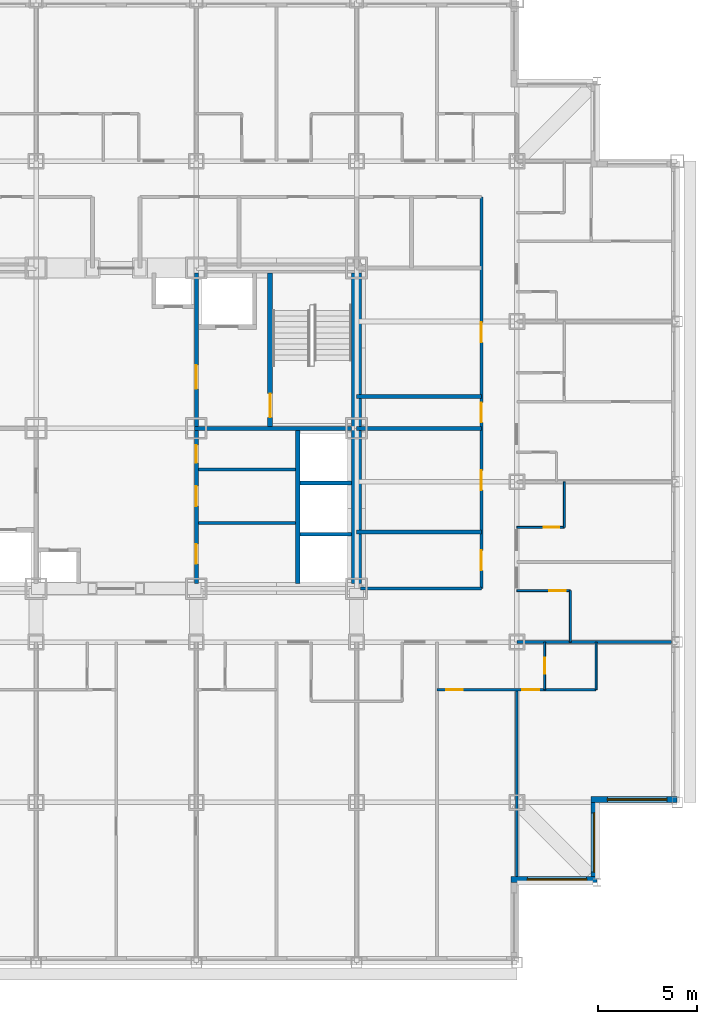
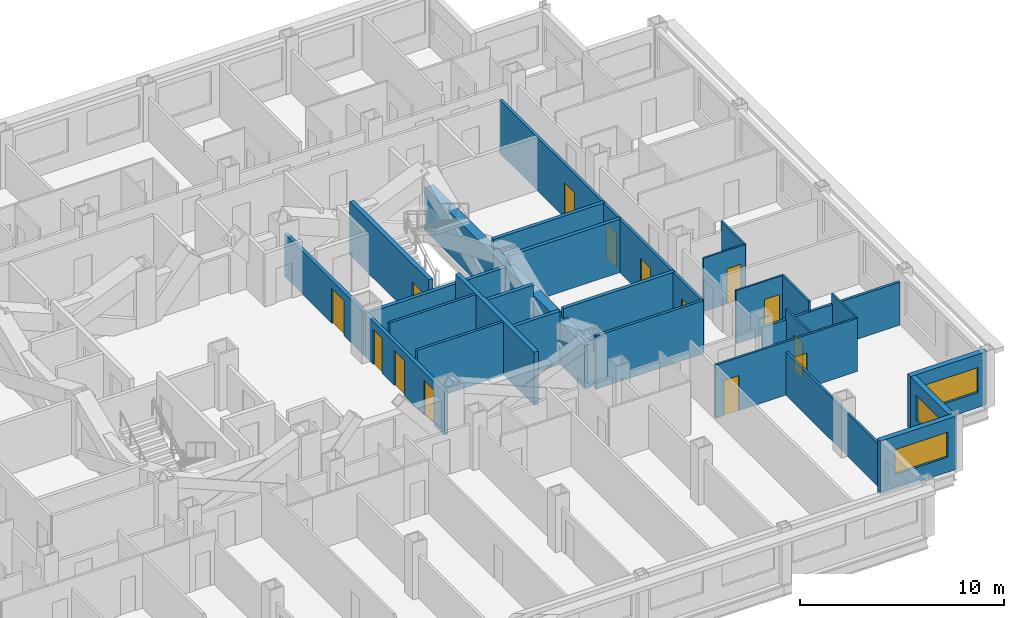
# One storey, part 7 of 13: 27 walls, 14 doors, 3 windows, 17 openings.
"""IFC4 building model written with IfcOpenShell, lengths in metres."""

from ifc_helpers import new_model, si_unit, direction, frame, frame_2d, origin, place, context, subcontext, project, spatial, rectangle, extrude, material, layer, layer_set, type_object, element, fill, save


model = new_model("IFC4")

# Units and contexts
model_context = context("Model", 3, precision=1e-05, world=origin(), true_north=direction((0.0, 1.0)))
body_context = subcontext(model_context, "Body", "Model", "MODEL_VIEW")
ifc_project = project(units=[si_unit("LENGTHUNIT", "METRE"), si_unit("AREAUNIT", "SQUARE_METRE"), si_unit("VOLUMEUNIT", "CUBIC_METRE"), si_unit("PLANEANGLEUNIT", "RADIAN"), si_unit("MASSUNIT", "GRAM", prefix="KILO")], contexts=[model_context])

# Site, building, storey
site_placement = place(None, origin())
site = spatial("IfcSite", under=ifc_project, at=site_placement, CompositionType="ELEMENT")
building_placement = place(site_placement, origin())
building = spatial("IfcBuilding", under=site, at=building_placement, Name="Kopane Lantern Tower", CompositionType="ELEMENT")
storey_placement = place(building_placement, frame((0.0, 0.0, 130.60009765625)))
storey = spatial("IfcBuildingStorey", under=building, at=storey_placement, Name="L33", CompositionType="ELEMENT", Elevation=130.60009765625)

# Wall, openings, doors
ifc_material_1 = material(Name="Gypsum board on steel studs", Category="steel")
ifc_layer_1 = layer(ifc_material_1, 0.1201171875)
ifc_layer_set_1 = layer_set([ifc_layer_1], Name="APARTMENT INTERNAL WALL 120")
wall_type_1 = type_object("IfcWallType", Name="APARTMENT INTERNAL WALL 120", PredefinedType="PARTITIONING", material=ifc_layer_set_1)
wall_1_placement = place(storey_placement, frame((44.550048828125, 19.199951171875, 0.0), z_axis=(0.0, 0.0, 1.0), x_axis=(1.0, 0.0, 0.0)))
wall_1 = element("IfcWall", 1, at=wall_1_placement, inside=storey, type_object=wall_type_1, Name="Apartment Internal Wall 120 L33", PredefinedType="PARTITIONING", context=body_context, shape_type="SweptSolid", body=[
    extrude(rectangle(XDim=8.050048828125, YDim=0.1201171875, at=frame_2d((4.02490234375, 0.0))), origin(), (0.0, 0.0, 1.0), 3.18994140625),
])
opening_1_placement = place(wall_1_placement, frame((0.47509765625, 0.0, 0.0)))
opening_1 = element("IfcOpeningElement", 2, at=opening_1_placement, cuts=wall_1, Name="Opening L33-070", PredefinedType="OPENING", context=body_context, shape_type="SweptSolid", body=[
    extrude(rectangle(XDim=0.85009765625, YDim=2.10009765625, at=frame_2d((0.425048828125, 1.050048828125))), frame((0.0, 0.070068359375, 0.0), z_axis=(0.0, -1.0, 0.0), x_axis=(1.0, 0.0, 0.0)), (0.0, 0.0, 1.0), 0.14013671875),
])
opening_2_placement = place(wall_1_placement, frame((4.324951171875, 0.0, 0.0)))
opening_2 = element("IfcOpeningElement", 3, at=opening_2_placement, cuts=wall_1, Name="Opening L33-072", PredefinedType="OPENING", context=body_context, shape_type="SweptSolid", body=[
    extrude(rectangle(XDim=0.85009765625, YDim=2.10009765625, at=frame_2d((0.425048828125, 1.050048828125))), frame((0.0, 0.070068359375, 0.0), z_axis=(0.0, -1.0, 0.0), x_axis=(1.0, 0.0, 0.0)), (0.0, 0.0, 1.0), 0.14013671875),
])
ifc_material_2 = material(Name="Timber door set", Category="wood")
door_type_1 = type_object("IfcDoorType", Name="DOOR D4 850x2100", OperationType="SINGLE_SWING_LEFT", PredefinedType="DOOR", material=ifc_material_2)
door_1_placement = place(opening_1_placement, origin())
door_1 = element("IfcDoor", 4, at=door_1_placement, inside=storey, type_object=door_type_1, Name="Door L33-070", OperationType="SINGLE_SWING_LEFT", OverallHeight=2.10009765625, OverallWidth=0.85009765625, PredefinedType="DOOR", context=body_context, shape_type="SweptSolid", body=[
    extrude(rectangle(XDim=0.85009765625, YDim=2.10009765625, at=frame_2d((0.425048828125, 1.050048828125))), frame((0.0, 0.02490234375, 0.0), z_axis=(0.0, -1.0, 0.0), x_axis=(1.0, 0.0, 0.0)), (0.0, 0.0, 1.0), 0.050048828125),
])
fill(opening_1, door_1)
door_2_placement = place(opening_2_placement, origin())
door_2 = element("IfcDoor", 5, at=door_2_placement, inside=storey, type_object=door_type_1, Name="Door L33-072", OperationType="SINGLE_SWING_RIGHT", OverallHeight=2.10009765625, OverallWidth=0.85009765625, PredefinedType="DOOR", context=body_context, shape_type="SweptSolid", body=[
    extrude(rectangle(XDim=0.85009765625, YDim=2.10009765625, at=frame_2d((0.425048828125, 1.050048828125))), frame((0.0, 0.02490234375, 0.0), z_axis=(0.0, -1.0, 0.0), x_axis=(1.0, 0.0, 0.0)), (0.0, 0.0, 1.0), 0.050048828125),
])
fill(opening_2, door_2)

# Walls
wall_2_placement = place(storey_placement, frame((48.60009765625, 19.199951171875, 0.0), z_axis=(0.0, 0.0, 1.0), x_axis=(0.0, -1.0, 0.0)))
element("IfcWall", 6, at=wall_2_placement, inside=storey, type_object=wall_type_1, Name="Apartment Internal Wall 120 L33", PredefinedType="PARTITIONING", context=body_context, shape_type="SweptSolid", body=[
    extrude(rectangle(XDim=9.449951171875, YDim=0.1201171875, at=frame_2d((4.72509765625, 0.0))), origin(), (0.0, 0.0, 1.0), 2.57763671875),
])
ifc_material_3 = material(Name="Moisture-resistant board on steel studs", Category="steel")
ifc_layer_2 = layer(ifc_material_3, 0.10009765625)
ifc_layer_set_2 = layer_set([ifc_layer_2], Name="BATHROOM WALL 100")
wall_type_2 = type_object("IfcWallType", Name="BATHROOM WALL 100", PredefinedType="PARTITIONING", material=ifc_layer_set_2)
wall_3_placement = place(storey_placement, frame((51.300048828125, 21.60009765625, 0.0), z_axis=(0.0, 0.0, 1.0), x_axis=(0.0, 1.0, 0.0)))
element("IfcWall", 7, at=wall_3_placement, inside=storey, type_object=wall_type_2, Name="Bathroom Wall 100 L33", PredefinedType="PARTITIONING", context=body_context, shape_type="SweptSolid", body=[
    extrude(rectangle(XDim=2.599853515625, YDim=0.10009765625, at=frame_2d((1.2998046875, 0.0))), origin(), (0.0, 0.0, 1.0), 3.18994140625),
])

# Wall, opening, door
wall_4_placement = place(storey_placement, frame((48.60009765625, 24.199951171875, 0.0), z_axis=(0.0, 0.0, 1.0), x_axis=(1.0, 0.0, 0.0)))
wall_4 = element("IfcWall", 8, at=wall_4_placement, inside=storey, type_object=wall_type_2, Name="Bathroom Wall 100 L33", PredefinedType="PARTITIONING", context=body_context, shape_type="SweptSolid", body=[
    extrude(rectangle(XDim=2.699951171875, YDim=0.10009765625, at=frame_2d((1.35009765625, 0.0))), origin(), (0.0, 0.0, 1.0), 3.18994140625),
])
opening_3_placement = place(wall_4_placement, frame((1.625, 0.0, 0.0)))
opening_3 = element("IfcOpeningElement", 9, at=opening_3_placement, cuts=wall_4, Name="Opening L33-053", PredefinedType="OPENING", context=body_context, shape_type="SweptSolid", body=[
    extrude(rectangle(XDim=0.85009765625, YDim=2.10009765625, at=frame_2d((0.425048828125, 1.050048828125))), frame((0.0, 0.06005859375, 0.0), z_axis=(0.0, -1.0, 0.0), x_axis=(1.0, 0.0, 0.0)), (0.0, 0.0, 1.0), 0.1201171875),
])
door_3_placement = place(opening_3_placement, origin())
door_3 = element("IfcDoor", 10, at=door_3_placement, inside=storey, type_object=door_type_1, Name="Door L33-053", OperationType="SINGLE_SWING_LEFT", OverallHeight=2.10009765625, OverallWidth=0.85009765625, PredefinedType="DOOR", context=body_context, shape_type="SweptSolid", body=[
    extrude(rectangle(XDim=0.85009765625, YDim=2.10009765625, at=frame_2d((0.425048828125, 1.050048828125))), frame((0.0, 0.02490234375, 0.0), z_axis=(0.0, -1.0, 0.0), x_axis=(1.0, 0.0, 0.0)), (0.0, 0.0, 1.0), 0.050048828125),
])
fill(opening_3, door_3)

# Wall
wall_5_placement = place(storey_placement, frame((51.0, 27.39990234375, 0.0), z_axis=(0.0, 0.0, 1.0), x_axis=(0.0, 1.0, 0.0)))
element("IfcWall", 11, at=wall_5_placement, inside=storey, type_object=wall_type_2, Name="Bathroom Wall 100 L33", PredefinedType="PARTITIONING", context=body_context, shape_type="SweptSolid", body=[
    extrude(rectangle(XDim=2.300048828125, YDim=0.10009765625, at=frame_2d((1.14990234375, 0.0))), origin(), (0.0, 0.0, 1.0), 3.18994140625),
])

# Wall, opening, door
wall_6_placement = place(storey_placement, frame((48.60009765625, 27.39990234375, 0.0), z_axis=(0.0, 0.0, 1.0), x_axis=(1.0, 0.0, 0.0)))
wall_6 = element("IfcWall", 12, at=wall_6_placement, inside=storey, type_object=wall_type_2, Name="Bathroom Wall 100 L33", PredefinedType="PARTITIONING", context=body_context, shape_type="SweptSolid", body=[
    extrude(rectangle(XDim=2.39990234375, YDim=0.10009765625, at=frame_2d((1.199951171875, 0.0))), origin(), (0.0, 0.0, 1.0), 3.18994140625),
])
opening_4_placement = place(wall_6_placement, frame((1.35009765625, 0.0, 0.0)))
opening_4 = element("IfcOpeningElement", 13, at=opening_4_placement, cuts=wall_6, Name="Opening L33-055", PredefinedType="OPENING", context=body_context, shape_type="SweptSolid", body=[
    extrude(rectangle(XDim=0.800048828125, YDim=2.10009765625, at=frame_2d((0.39990234375, 1.050048828125))), frame((0.0, 0.06005859375, 0.0), z_axis=(0.0, -1.0, 0.0), x_axis=(1.0, 0.0, 0.0)), (0.0, 0.0, 1.0), 0.1201171875),
])
ifc_material_4 = material(Name="Timber door set", Category="wood")
door_type_2 = type_object("IfcDoorType", Name="DOOR D2 800x2100", OperationType="SINGLE_SWING_LEFT", PredefinedType="DOOR", material=ifc_material_4)
door_4_placement = place(opening_4_placement, origin())
door_4 = element("IfcDoor", 14, at=door_4_placement, inside=storey, type_object=door_type_2, Name="Door L33-055", OperationType="SINGLE_SWING_RIGHT", OverallHeight=2.10009765625, OverallWidth=0.800048828125, PredefinedType="DOOR", context=body_context, shape_type="SweptSolid", body=[
    extrude(rectangle(XDim=0.800048828125, YDim=2.10009765625, at=frame_2d((0.39990234375, 1.050048828125))), frame((0.0, 0.02490234375, 0.0), z_axis=(0.0, -1.0, 0.0), x_axis=(1.0, 0.0, 0.0)), (0.0, 0.0, 1.0), 0.050048828125),
])
fill(opening_4, door_4)

wall_7_placement = place(storey_placement, frame((50.0, 21.60009765625, 0.0), z_axis=(0.0, 0.0, 1.0), x_axis=(0.0, -1.0, 0.0)))
wall_7 = element("IfcWall", 15, at=wall_7_placement, inside=storey, type_object=wall_type_2, Name="Bathroom Wall 100 L33", PredefinedType="PARTITIONING", context=body_context, shape_type="SweptSolid", body=[
    extrude(rectangle(XDim=2.400146484375, YDim=0.10009765625, at=frame_2d((1.2001953125, 0.0))), origin(), (0.0, 0.0, 1.0), 3.18994140625),
])
opening_5_placement = place(wall_7_placement, frame((0.800048828125, 0.0, 0.0)))
opening_5 = element("IfcOpeningElement", 16, at=opening_5_placement, cuts=wall_7, Name="Opening L33-071", PredefinedType="OPENING", context=body_context, shape_type="SweptSolid", body=[
    extrude(rectangle(XDim=0.800048828125, YDim=2.10009765625, at=frame_2d((0.39990234375, 1.050048828125))), frame((0.0, 0.06005859375, 0.0), z_axis=(0.0, -1.0, 0.0), x_axis=(1.0, 0.0, 0.0)), (0.0, 0.0, 1.0), 0.1201171875),
])
door_5_placement = place(opening_5_placement, origin())
door_5 = element("IfcDoor", 17, at=door_5_placement, inside=storey, type_object=door_type_2, Name="Door L33-071", OperationType="SINGLE_SWING_LEFT", OverallHeight=2.10009765625, OverallWidth=0.800048828125, PredefinedType="DOOR", context=body_context, shape_type="SweptSolid", body=[
    extrude(rectangle(XDim=0.800048828125, YDim=2.10009765625, at=frame_2d((0.39990234375, 1.050048828125))), frame((0.0, 0.02490234375, 0.0), z_axis=(0.0, -1.0, 0.0), x_axis=(1.0, 0.0, 0.0)), (0.0, 0.0, 1.0), 0.050048828125),
])
fill(opening_5, door_5)

# Walls
wall_8_placement = place(storey_placement, frame((52.60009765625, 21.60009765625, 0.0), z_axis=(0.0, 0.0, 1.0), x_axis=(0.0, -1.0, 0.0)))
element("IfcWall", 18, at=wall_8_placement, inside=storey, type_object=wall_type_2, Name="Bathroom Wall 100 L33", PredefinedType="PARTITIONING", context=body_context, shape_type="SweptSolid", body=[
    extrude(rectangle(XDim=2.400146484375, YDim=0.10009765625, at=frame_2d((1.2001953125, 0.0))), origin(), (0.0, 0.0, 1.0), 3.18994140625),
])
ifc_material_5 = material(Name="Gypsum shaft wall EI 120", Category="gypsum")
ifc_layer_3 = layer(ifc_material_5, 0.5)
ifc_layer_set_3 = layer_set([ifc_layer_3], Name="CORE PERIMETER WALL 500 EI 120")
wall_type_3 = type_object("IfcWallType", Name="CORE PERIMETER WALL 500 EI 120", PredefinedType="SOLIDWALL", material=ifc_layer_set_3)
wall_9_placement = place(storey_placement, frame((40.5, 24.550048828125, 0.0), z_axis=(0.0, 0.0, 1.0), x_axis=(0.0, 1.0, 0.0)))
element("IfcWall", 19, at=wall_9_placement, inside=storey, type_object=wall_type_3, Name="Core shaft wall L33 PE", PredefinedType="SOLIDWALL", context=body_context, shape_type="SweptSolid", body=[
    extrude(rectangle(XDim=15.699951171875, YDim=0.5, at=frame_2d((7.85009765625, 0.0))), origin(), (0.0, 0.0, 1.0), 2.57763671875),
])
ifc_material_6 = material(Name="Gypsum partition EI 60", Category="gypsum")
ifc_layer_4 = layer(ifc_material_6, 0.14990234375)
ifc_layer_set_4 = layer_set([ifc_layer_4], Name="CORE ROOM PARTITION 150 EI 60")
wall_type_4 = type_object("IfcWallType", Name="CORE ROOM PARTITION 150 EI 60", PredefinedType="PARTITIONING", material=ifc_layer_set_4)
for number, where, z_axis, x_axis, name in (
    (20, (32.5, 27.625, 0.0), (0.0, 0.0, 1.0), (1.0, 0.0, 0.0), "Core room partition L33 E1"),
    (21, (32.5, 30.324951171875, 0.0), (0.0, 0.0, 1.0), (1.0, 0.0, 0.0), "Core room partition L33 E2"),
):
    element("IfcWall", number, at=place(storey_placement, frame(where, z_axis=z_axis, x_axis=x_axis)), inside=storey, type_object=wall_type_4, Name=name, PredefinedType="PARTITIONING", context=body_context, shape_type="SweptSolid", body=[
        extrude(rectangle(XDim=4.89990234375, YDim=0.14990234375, at=frame_2d((2.449951171875, 0.0))), origin(), (0.0, 0.0, 1.0), 3.18994140625),
    ])

# Wall, openings, doors
ifc_material_7 = material(Name="Gypsum partition EI 60", Category="gypsum")
ifc_layer_5 = layer(ifc_material_7, 0.199951171875)
ifc_layer_set_5 = layer_set([ifc_layer_5], Name="CORE ROOM WALL 200 EI 60")
wall_type_5 = type_object("IfcWallType", Name="CORE ROOM WALL 200 EI 60", PredefinedType="PARTITIONING", material=ifc_layer_set_5)
wall_10_placement = place(storey_placement, frame((32.39990234375, 24.550048828125, 0.0), z_axis=(0.0, 0.0, 1.0), x_axis=(0.0, 1.0, 0.0)))
wall_10 = element("IfcWall", 22, at=wall_10_placement, inside=storey, type_object=wall_type_5, Name="Core room wall L33 XE", PredefinedType="PARTITIONING", context=body_context, shape_type="SweptSolid", body=[
    extrude(rectangle(XDim=7.75, YDim=0.199951171875, at=frame_2d((3.875, 0.0))), origin(), (0.0, 0.0, 1.0), 2.57763671875),
])
opening_6_placement = place(wall_10_placement, frame((1.0, 0.0, 0.0)))
opening_6 = element("IfcOpeningElement", 23, at=opening_6_placement, cuts=wall_10, Name="Opening 33.C20", PredefinedType="OPENING", context=body_context, shape_type="SweptSolid", body=[
    extrude(rectangle(XDim=1.0, YDim=2.10009765625, at=frame_2d((0.5, 1.050048828125))), frame((0.0, 0.10986328125, 0.0), z_axis=(0.0, -1.0, 0.0), x_axis=(1.0, 0.0, 0.0)), (0.0, 0.0, 1.0), 0.219970703125),
])
opening_7_placement = place(wall_10_placement, frame((3.925048828125, 0.0, 0.0)))
opening_7 = element("IfcOpeningElement", 24, at=opening_7_placement, cuts=wall_10, Name="Opening 33.C21", PredefinedType="OPENING", context=body_context, shape_type="SweptSolid", body=[
    extrude(rectangle(XDim=1.0, YDim=2.10009765625, at=frame_2d((0.5, 1.050048828125))), frame((0.0, 0.10986328125, 0.0), z_axis=(0.0, -1.0, 0.0), x_axis=(1.0, 0.0, 0.0)), (0.0, 0.0, 1.0), 0.219970703125),
])
opening_8_placement = place(wall_10_placement, frame((6.10009765625, 0.0, 0.0)))
opening_8 = element("IfcOpeningElement", 25, at=opening_8_placement, cuts=wall_10, Name="Opening 33.C22", PredefinedType="OPENING", context=body_context, shape_type="SweptSolid", body=[
    extrude(rectangle(XDim=0.89990234375, YDim=2.10009765625, at=frame_2d((0.449951171875, 1.050048828125))), frame((0.0, 0.10986328125, 0.0), z_axis=(0.0, -1.0, 0.0), x_axis=(1.0, 0.0, 0.0)), (0.0, 0.0, 1.0), 0.219970703125),
])
ifc_material_8 = material(Name="Steel door set", Category="steel")
door_type_3 = type_object("IfcDoorType", Name="CORE ROOM DOOR 1000x2100 FD30S", OperationType="SINGLE_SWING_RIGHT", PredefinedType="DOOR", material=ifc_material_8)
door_6_placement = place(opening_6_placement, origin())
door_6 = element("IfcDoor", 26, at=door_6_placement, inside=storey, type_object=door_type_3, Name="Door Butler pantry L33", OperationType="SINGLE_SWING_LEFT", OverallHeight=2.10009765625, OverallWidth=1.0, PredefinedType="DOOR", context=body_context, shape_type="SweptSolid", body=[
    extrude(rectangle(XDim=1.0, YDim=2.10009765625, at=frame_2d((0.5, 1.050048828125))), frame((0.0, 0.02490234375, 0.0), z_axis=(0.0, -1.0, 0.0), x_axis=(1.0, 0.0, 0.0)), (0.0, 0.0, 1.0), 0.050048828125),
])
fill(opening_6, door_6)
door_7_placement = place(opening_7_placement, origin())
door_7 = element("IfcDoor", 27, at=door_7_placement, inside=storey, type_object=door_type_3, Name="Door Ice and vending room L33", OperationType="SINGLE_SWING_LEFT", OverallHeight=2.10009765625, OverallWidth=1.0, PredefinedType="DOOR", context=body_context, shape_type="SweptSolid", body=[
    extrude(rectangle(XDim=1.0, YDim=2.10009765625, at=frame_2d((0.5, 1.050048828125))), frame((0.0, 0.02490234375, 0.0), z_axis=(0.0, -1.0, 0.0), x_axis=(1.0, 0.0, 0.0)), (0.0, 0.0, 1.0), 0.050048828125),
])
fill(opening_7, door_7)
ifc_material_9 = material(Name="Steel door set", Category="steel")
door_type_4 = type_object("IfcDoorType", Name="CORE ROOM DOOR 900x2100 FD60", OperationType="SINGLE_SWING_LEFT", PredefinedType="DOOR", material=ifc_material_9)
door_8_placement = place(opening_8_placement, origin())
door_8 = element("IfcDoor", 28, at=door_8_placement, inside=storey, type_object=door_type_4, Name="Door IT room L33", OperationType="SINGLE_SWING_RIGHT", OverallHeight=2.10009765625, OverallWidth=0.89990234375, PredefinedType="DOOR", context=body_context, shape_type="SweptSolid", body=[
    extrude(rectangle(XDim=0.89990234375, YDim=2.10009765625, at=frame_2d((0.449951171875, 1.050048828125))), frame((0.0, 0.02490234375, 0.0), z_axis=(0.0, -1.0, 0.0), x_axis=(1.0, 0.0, 0.0)), (0.0, 0.0, 1.0), 0.050048828125),
])
fill(opening_8, door_8)

# Wall
ifc_material_10 = material(Name="Gypsum shaft wall EI 120", Category="gypsum")
ifc_layer_6 = layer(ifc_material_10, 0.25)
ifc_layer_set_6 = layer_set([ifc_layer_6], Name="CORE SHAFT WALL 250 EI 120")
wall_type_6 = type_object("IfcWallType", Name="CORE SHAFT WALL 250 EI 120", PredefinedType="SOLIDWALL", material=ifc_layer_set_6)
wall_11_placement = place(storey_placement, frame((37.52490234375, 24.550048828125, 0.0), z_axis=(0.0, 0.0, 1.0), x_axis=(0.0, 1.0, 0.0)))
element("IfcWall", 29, at=wall_11_placement, inside=storey, type_object=wall_type_6, Name="Core shaft wall L33 XLR", PredefinedType="SOLIDWALL", context=body_context, shape_type="SweptSolid", body=[
    extrude(rectangle(XDim=7.75, YDim=0.25, at=frame_2d((3.875, 0.0))), origin(), (0.0, 0.0, 1.0), 3.18994140625),
])

# Wall, opening, door
wall_12_placement = place(storey_placement, frame((36.125, 32.5, 0.0), z_axis=(0.0, 0.0, 1.0), x_axis=(0.0, 1.0, 0.0)))
wall_12 = element("IfcWall", 30, at=wall_12_placement, inside=storey, type_object=wall_type_6, Name="Core shaft wall L33 XST2", PredefinedType="SOLIDWALL", context=body_context, shape_type="SweptSolid", body=[
    extrude(rectangle(XDim=7.75, YDim=0.25, at=frame_2d((3.875, 0.0))), origin(), (0.0, 0.0, 1.0), 3.18994140625),
])
opening_9_placement = place(wall_12_placement, frame((0.449951171875, 0.0, 0.0)))
opening_9 = element("IfcOpeningElement", 31, at=opening_9_placement, cuts=wall_12, Name="Opening 33.SD2", PredefinedType="OPENING", context=body_context, shape_type="SweptSolid", body=[
    extrude(rectangle(XDim=1.199951171875, YDim=2.10009765625, at=frame_2d((0.60009765625, 1.050048828125))), frame((0.0, 0.135009765625, 0.0), z_axis=(0.0, -1.0, 0.0), x_axis=(1.0, 0.0, 0.0)), (0.0, 0.0, 1.0), 0.27001953125),
])
ifc_material_11 = material(Name="Steel door set", Category="steel")
door_type_5 = type_object("IfcDoorType", Name="STAIR DOOR 1200x2100 FD60S", OperationType="SINGLE_SWING_LEFT", PredefinedType="DOOR", material=ifc_material_11)
door_9_placement = place(opening_9_placement, origin())
door_9 = element("IfcDoor", 32, at=door_9_placement, inside=storey, type_object=door_type_5, Name="Stair door ST2 L33", OperationType="SINGLE_SWING_RIGHT", OverallHeight=2.10009765625, OverallWidth=1.199951171875, PredefinedType="DOOR", context=body_context, shape_type="SweptSolid", body=[
    extrude(rectangle(XDim=1.199951171875, YDim=2.10009765625, at=frame_2d((0.60009765625, 1.050048828125))), frame((0.0, 0.02490234375, 0.0), z_axis=(0.0, -1.0, 0.0), x_axis=(1.0, 0.0, 0.0)), (0.0, 0.0, 1.0), 0.050048828125),
])
fill(opening_9, door_9)

# Wall, openings, doors
ifc_material_12 = material(Name="Gypsum board on steel studs", Category="steel")
ifc_layer_7 = layer(ifc_material_12, 0.14990234375)
ifc_layer_set_7 = layer_set([ifc_layer_7], Name="CORRIDOR WALL 150 EI 60")
wall_type_7 = type_object("IfcWallType", Name="CORRIDOR WALL 150 EI 60", PredefinedType="PARTITIONING", material=ifc_layer_set_7)
wall_13_placement = place(storey_placement, frame((46.800048828125, 24.300048828125, 0.0), z_axis=(0.0, 0.0, 1.0), x_axis=(0.0, 1.0, 0.0)))
wall_13 = element("IfcWall", 33, at=wall_13_placement, inside=storey, type_object=wall_type_7, Name="Corridor Wall 150 Ei 60 L33", PredefinedType="PARTITIONING", context=body_context, shape_type="SweptSolid", body=[
    extrude(rectangle(XDim=19.800048828125, YDim=0.14990234375, at=frame_2d((9.89990234375, 0.0))), origin(), (0.0, 0.0, 1.0), 3.18994140625),
])
opening_10_placement = place(wall_13_placement, frame((0.9287109375, 0.0, 0.0)))
opening_10 = element("IfcOpeningElement", 34, at=opening_10_placement, cuts=wall_13, Name="Opening L33-004", PredefinedType="OPENING", context=body_context, shape_type="SweptSolid", body=[
    extrude(rectangle(XDim=1.0, YDim=2.10009765625, at=frame_2d((0.5, 1.050048828125))), frame((0.0, 0.0849609375, 0.0), z_axis=(0.0, -1.0, 0.0), x_axis=(1.0, 0.0, 0.0)), (0.0, 0.0, 1.0), 0.169921875),
])
opening_11_placement = place(wall_13_placement, frame((4.978515625, 0.0, 0.0)))
opening_11 = element("IfcOpeningElement", 35, at=opening_11_placement, cuts=wall_13, Name="Opening L33-005", PredefinedType="OPENING", context=body_context, shape_type="SweptSolid", body=[
    extrude(rectangle(XDim=1.0, YDim=2.10009765625, at=frame_2d((0.5, 1.050048828125))), frame((0.0, 0.0849609375, 0.0), z_axis=(0.0, -1.0, 0.0), x_axis=(1.0, 0.0, 0.0)), (0.0, 0.0, 1.0), 0.169921875),
])
opening_12_placement = place(wall_13_placement, frame((8.39990234375, 0.0, 0.0)))
opening_12 = element("IfcOpeningElement", 36, at=opening_12_placement, cuts=wall_13, Name="Opening L33-006", PredefinedType="OPENING", context=body_context, shape_type="SweptSolid", body=[
    extrude(rectangle(XDim=1.0, YDim=2.10009765625, at=frame_2d((0.5, 1.050048828125))), frame((0.0, 0.0849609375, 0.0), z_axis=(0.0, -1.0, 0.0), x_axis=(1.0, 0.0, 0.0)), (0.0, 0.0, 1.0), 0.169921875),
])
opening_13_placement = place(wall_13_placement, frame((12.449951171875, 0.0, 0.0)))
opening_13 = element("IfcOpeningElement", 37, at=opening_13_placement, cuts=wall_13, Name="Opening L33-007", PredefinedType="OPENING", context=body_context, shape_type="SweptSolid", body=[
    extrude(rectangle(XDim=1.0, YDim=2.10009765625, at=frame_2d((0.5, 1.050048828125))), frame((0.0, 0.0849609375, 0.0), z_axis=(0.0, -1.0, 0.0), x_axis=(1.0, 0.0, 0.0)), (0.0, 0.0, 1.0), 0.169921875),
])
ifc_material_13 = material(Name="Steel door set", Category="steel")
door_type_6 = type_object("IfcDoorType", Name="DOOR D5 1000x2100 FD60", OperationType="SINGLE_SWING_LEFT", PredefinedType="DOOR", material=ifc_material_13)
door_10_placement = place(opening_10_placement, origin())
door_10 = element("IfcDoor", 38, at=door_10_placement, inside=storey, type_object=door_type_6, Name="Door L33-004", OperationType="SINGLE_SWING_LEFT", OverallHeight=2.10009765625, OverallWidth=1.0, PredefinedType="DOOR", context=body_context, shape_type="SweptSolid", body=[
    extrude(rectangle(XDim=1.0, YDim=2.10009765625, at=frame_2d((0.5, 1.050048828125))), frame((0.0, 0.02490234375, 0.0), z_axis=(0.0, -1.0, 0.0), x_axis=(1.0, 0.0, 0.0)), (0.0, 0.0, 1.0), 0.050048828125),
])
fill(opening_10, door_10)
door_11_placement = place(opening_11_placement, origin())
door_11 = element("IfcDoor", 39, at=door_11_placement, inside=storey, type_object=door_type_6, Name="Door L33-005", OperationType="SINGLE_SWING_RIGHT", OverallHeight=2.10009765625, OverallWidth=1.0, PredefinedType="DOOR", context=body_context, shape_type="SweptSolid", body=[
    extrude(rectangle(XDim=1.0, YDim=2.10009765625, at=frame_2d((0.5, 1.050048828125))), frame((0.0, 0.02490234375, 0.0), z_axis=(0.0, -1.0, 0.0), x_axis=(1.0, 0.0, 0.0)), (0.0, 0.0, 1.0), 0.050048828125),
])
fill(opening_11, door_11)
door_12_placement = place(opening_12_placement, origin())
door_12 = element("IfcDoor", 40, at=door_12_placement, inside=storey, type_object=door_type_6, Name="Door L33-006", OperationType="SINGLE_SWING_LEFT", OverallHeight=2.10009765625, OverallWidth=1.0, PredefinedType="DOOR", context=body_context, shape_type="SweptSolid", body=[
    extrude(rectangle(XDim=1.0, YDim=2.10009765625, at=frame_2d((0.5, 1.050048828125))), frame((0.0, 0.02490234375, 0.0), z_axis=(0.0, -1.0, 0.0), x_axis=(1.0, 0.0, 0.0)), (0.0, 0.0, 1.0), 0.050048828125),
])
fill(opening_12, door_12)
door_13_placement = place(opening_13_placement, origin())
door_13 = element("IfcDoor", 41, at=door_13_placement, inside=storey, type_object=door_type_6, Name="Door L33-007", OperationType="SINGLE_SWING_RIGHT", OverallHeight=2.10009765625, OverallWidth=1.0, PredefinedType="DOOR", context=body_context, shape_type="SweptSolid", body=[
    extrude(rectangle(XDim=1.0, YDim=2.10009765625, at=frame_2d((0.5, 1.050048828125))), frame((0.0, 0.02490234375, 0.0), z_axis=(0.0, -1.0, 0.0), x_axis=(1.0, 0.0, 0.0)), (0.0, 0.0, 1.0), 0.050048828125),
])
fill(opening_13, door_13)

# Walls
wall_14_placement = place(storey_placement, frame((40.699951171875, 24.300048828125, 0.0), z_axis=(0.0, 0.0, 1.0), x_axis=(1.0, 0.0, 0.0)))
element("IfcWall", 42, at=wall_14_placement, inside=storey, type_object=wall_type_7, Name="Corridor Wall 150 Ei 60 L33", PredefinedType="PARTITIONING", context=body_context, shape_type="SweptSolid", body=[
    extrude(rectangle(XDim=6.10009765625, YDim=0.14990234375, at=frame_2d((3.050048828125, 0.0))), origin(), (0.0, 0.0, 1.0), 3.18994140625),
])
ifc_material_14 = material(Name="Gypsum board on steel studs", Category="steel")
ifc_layer_8 = layer(ifc_material_14, 0.14990234375)
ifc_layer_set_8 = layer_set([ifc_layer_8], Name="DEMISING WALL 150 EI 60")
wall_type_8 = type_object("IfcWallType", Name="DEMISING WALL 150 EI 60", PredefinedType="PARTITIONING", material=ifc_layer_set_8)
wall_15_placement = place(storey_placement, frame((48.60009765625, 21.60009765625, 0.0), z_axis=(0.0, 0.0, 1.0), x_axis=(1.0, 0.0, 0.0)))
element("IfcWall", 43, at=wall_15_placement, inside=storey, type_object=wall_type_8, Name="Demising Wall 150 Ei 60 L33", PredefinedType="PARTITIONING", context=body_context, shape_type="SweptSolid", body=[
    extrude(rectangle(XDim=7.7998046875, YDim=0.14990234375, at=frame_2d((3.89990234375, 0.0))), origin(), (0.0, 0.0, 1.0), 2.57763671875),
])

# Wall, opening, window
ifc_material_15 = material(Name="Terracotta rainscreen on light steel framing", Category="masonry")
ifc_layer_9 = layer(ifc_material_15, 0.300048828125)
ifc_layer_set_9 = layer_set([ifc_layer_9], Name="EXTERNAL WALL EW1 300 TERRACOTTA")
wall_type_9 = type_object("IfcWallType", Name="EXTERNAL WALL EW1 300 TERRACOTTA", PredefinedType="SOLIDWALL", material=ifc_layer_set_9)
wall_16_placement = place(storey_placement, frame((48.300048828125, 9.60009765625, 0.0), z_axis=(0.0, 0.0, 1.0), x_axis=(1.0, 0.0, 0.0)))
wall_16 = element("IfcWall", 44, at=wall_16_placement, inside=storey, type_object=wall_type_9, Name="External wall S L33", PredefinedType="SOLIDWALL", context=body_context, shape_type="SweptSolid", body=[
    extrude(rectangle(XDim=4.349853515625, YDim=0.300048828125, at=frame_2d((2.1748046875, 0.0))), origin(), (0.0, 0.0, 1.0), 3.18994140625),
])
opening_14_placement = place(wall_16_placement, frame((0.824951171875, 0.0, 0.89990234375)))
opening_14 = element("IfcOpeningElement", 45, at=opening_14_placement, cuts=wall_16, Name="Opening WR300150", PredefinedType="OPENING", context=body_context, shape_type="SweptSolid", body=[
    extrude(rectangle(XDim=3.0, YDim=1.5, at=frame_2d((1.5, 0.75))), frame((0.0, 0.159912109375, 0.0), z_axis=(0.0, -1.0, 0.0), x_axis=(1.0, 0.0, 0.0)), (0.0, 0.0, 1.0), 0.320068359375),
])
ifc_material_16 = material(Name="Aluminium and clear glass", Category="aluminium")
window_type = type_object("IfcWindowType", Name="RIBBON WINDOW WR300150 3000x1500", PartitioningType="SINGLE_PANEL", PredefinedType="WINDOW", material=ifc_material_16)
window_1_placement = place(opening_14_placement, origin())
window_1 = element("IfcWindow", 46, at=window_1_placement, inside=storey, type_object=window_type, Name="Window S L33", OverallHeight=1.5, OverallWidth=3.0, PartitioningType="SINGLE_PANEL", PredefinedType="WINDOW", context=body_context, shape_type="SweptSolid", body=[
    extrude(rectangle(XDim=3.0, YDim=1.5, at=frame_2d((1.5, 0.75))), frame((0.0, 0.030029296875, 0.0), z_axis=(0.0, -1.0, 0.0), x_axis=(1.0, 0.0, 0.0)), (0.0, 0.0, 1.0), 0.06005859375),
])
fill(opening_14, window_1)

wall_17_placement = place(storey_placement, frame((52.5, 9.75, 0.0), z_axis=(0.0, 0.0, 1.0), x_axis=(0.0, 1.0, 0.0)))
wall_17 = element("IfcWall", 47, at=wall_17_placement, inside=storey, type_object=wall_type_9, Name="External wall E L33", PredefinedType="SOLIDWALL", context=body_context, shape_type="SweptSolid", body=[
    extrude(rectangle(XDim=3.75, YDim=0.300048828125, at=frame_2d((1.875, 0.0))), origin(), (0.0, 0.0, 1.0), 3.18994140625),
])
opening_15_placement = place(wall_17_placement, frame((0.22509765625, 0.0, 0.89990234375)))
opening_15 = element("IfcOpeningElement", 48, at=opening_15_placement, cuts=wall_17, Name="Opening WR300150", PredefinedType="OPENING", context=body_context, shape_type="SweptSolid", body=[
    extrude(rectangle(XDim=3.0, YDim=1.5, at=frame_2d((1.5, 0.75))), frame((0.0, 0.159912109375, 0.0), z_axis=(0.0, -1.0, 0.0), x_axis=(1.0, 0.0, 0.0)), (0.0, 0.0, 1.0), 0.320068359375),
])
window_2_placement = place(opening_15_placement, origin())
window_2 = element("IfcWindow", 49, at=window_2_placement, inside=storey, type_object=window_type, Name="Window E L33", OverallHeight=1.5, OverallWidth=3.0, PartitioningType="SINGLE_PANEL", PredefinedType="WINDOW", context=body_context, shape_type="SweptSolid", body=[
    extrude(rectangle(XDim=3.0, YDim=1.5, at=frame_2d((1.5, 0.75))), frame((0.0, 0.030029296875, 0.0), z_axis=(0.0, -1.0, 0.0), x_axis=(1.0, 0.0, 0.0)), (0.0, 0.0, 1.0), 0.06005859375),
])
fill(opening_15, window_2)

wall_18_placement = place(storey_placement, frame((52.35009765625, 13.64990234375, 0.0), z_axis=(0.0, 0.0, 1.0), x_axis=(1.0, 0.0, 0.0)))
wall_18 = element("IfcWall", 50, at=wall_18_placement, inside=storey, type_object=wall_type_9, Name="External wall S L33", PredefinedType="SOLIDWALL", context=body_context, shape_type="SweptSolid", body=[
    extrude(rectangle(XDim=4.349853515625, YDim=0.300048828125, at=frame_2d((2.1748046875, 0.0))), origin(), (0.0, 0.0, 1.0), 3.18994140625),
])
opening_16_placement = place(wall_18_placement, frame((0.824951171875, 0.0, 0.89990234375)))
opening_16 = element("IfcOpeningElement", 51, at=opening_16_placement, cuts=wall_18, Name="Opening WR300150", PredefinedType="OPENING", context=body_context, shape_type="SweptSolid", body=[
    extrude(rectangle(XDim=3.0, YDim=1.5, at=frame_2d((1.5, 0.75))), frame((0.0, 0.159912109375, 0.0), z_axis=(0.0, -1.0, 0.0), x_axis=(1.0, 0.0, 0.0)), (0.0, 0.0, 1.0), 0.320068359375),
])
window_3_placement = place(opening_16_placement, origin())
window_3 = element("IfcWindow", 52, at=window_3_placement, inside=storey, type_object=window_type, Name="Window S L33", OverallHeight=1.5, OverallWidth=3.0, PartitioningType="SINGLE_PANEL", PredefinedType="WINDOW", context=body_context, shape_type="SweptSolid", body=[
    extrude(rectangle(XDim=3.0, YDim=1.5, at=frame_2d((1.5, 0.75))), frame((0.0, 0.030029296875, 0.0), z_axis=(0.0, -1.0, 0.0), x_axis=(1.0, 0.0, 0.0)), (0.0, 0.0, 1.0), 0.06005859375),
])
fill(opening_16, window_3)

# Walls
ifc_material_17 = material(Name="Concrete masonry", Category="masonry")
ifc_layer_10 = layer(ifc_material_17, 0.199951171875)
ifc_layer_set_10 = layer_set([ifc_layer_10], Name="PLANT ROOM WALL 200 EI 120")
wall_type_10 = type_object("IfcWallType", Name="PLANT ROOM WALL 200 EI 120", PredefinedType="SOLIDWALL", material=ifc_layer_set_10)
for number, where, z_axis, x_axis, name in (
    (53, (40.5, 32.39990234375, 0.0), (0.0, 0.0, 1.0), (1.0, 0.0, 0.0), "Plant Room Wall 200 Ei 120 L33"),
    (54, (46.800048828125, 27.156982421875, 0.0), (0.0, 0.0, 1.0), (-1.0, 0.0, 0.0), "Plant Room Wall 200 Ei 120 L33"),
    (55, (46.800048828125, 34.0, 0.0), (0.0, 0.0, 1.0), (-1.0, 0.0, 0.0), "Plant Room Wall 200 Ei 120 L33"),
):
    element("IfcWall", number, at=place(storey_placement, frame(where, z_axis=z_axis, x_axis=x_axis)), inside=storey, type_object=wall_type_10, Name=name, PredefinedType="SOLIDWALL", context=body_context, shape_type="SweptSolid", body=[
        extrude(rectangle(XDim=6.300048828125, YDim=0.199951171875, at=frame_2d((3.14990234375, 0.0))), origin(), (0.0, 0.0, 1.0), 3.18994140625),
    ])
ifc_material_18 = material(Name="Gypsum shaft wall EI 120", Category="gypsum")
ifc_layer_11 = layer(ifc_material_18, 0.199951171875)
ifc_layer_set_11 = layer_set([ifc_layer_11], Name="SHAFT WALL 200 EI 120")
wall_type_11 = type_object("IfcWallType", Name="SHAFT WALL 200 EI 120", PredefinedType="SOLIDWALL", material=ifc_layer_set_11)
wall_19_placement = place(storey_placement, frame((32.300048828125, 32.39990234375, 0.0), z_axis=(0.0, 0.0, 1.0), x_axis=(1.0, 0.0, 0.0)))
element("IfcWall", 56, at=wall_19_placement, inside=storey, type_object=wall_type_11, Name="Core shaft wall L33 Y324E", PredefinedType="SOLIDWALL", context=body_context, shape_type="SweptSolid", body=[
    extrude(rectangle(XDim=7.949951171875, YDim=0.199951171875, at=frame_2d((3.97509765625, 0.0))), origin(), (0.0, 0.0, 1.0), 2.57763671875),
])

# Wall, opening, door
wall_20_placement = place(storey_placement, frame((32.39990234375, 32.5, 0.0), z_axis=(0.0, 0.0, 1.0), x_axis=(0.0, 1.0, 0.0)))
wall_20 = element("IfcWall", 57, at=wall_20_placement, inside=storey, type_object=wall_type_11, Name="Core shaft wall L33 X324", PredefinedType="SOLIDWALL", context=body_context, shape_type="SweptSolid", body=[
    extrude(rectangle(XDim=7.75, YDim=0.199951171875, at=frame_2d((3.875, 0.0))), origin(), (0.0, 0.0, 1.0), 2.57763671875),
])
opening_17_placement = place(wall_20_placement, frame((1.89990234375, 0.0, 0.0)))
opening_17 = element("IfcOpeningElement", 58, at=opening_17_placement, cuts=wall_20, Name="Opening 33.FL2", PredefinedType="OPENING", context=body_context, shape_type="SweptSolid", body=[
    extrude(rectangle(XDim=1.199951171875, YDim=2.10009765625, at=frame_2d((0.60009765625, 1.050048828125))), frame((0.0, 0.10986328125, 0.0), z_axis=(0.0, -1.0, 0.0), x_axis=(1.0, 0.0, 0.0)), (0.0, 0.0, 1.0), 0.219970703125),
])
ifc_material_19 = material(Name="Steel door set", Category="steel")
door_type_7 = type_object("IfcDoorType", Name="FIREFIGHTING LOBBY DOOR 1200x2100 FD60S", OperationType="SINGLE_SWING_RIGHT", PredefinedType="DOOR", material=ifc_material_19)
door_14_placement = place(opening_17_placement, origin())
door_14 = element("IfcDoor", 59, at=door_14_placement, inside=storey, type_object=door_type_7, Name="Firefighting lobby door FL2 L33", OperationType="SINGLE_SWING_LEFT", OverallHeight=2.10009765625, OverallWidth=1.199951171875, PredefinedType="DOOR", context=body_context, shape_type="SweptSolid", body=[
    extrude(rectangle(XDim=1.199951171875, YDim=2.10009765625, at=frame_2d((0.60009765625, 1.050048828125))), frame((0.0, 0.02490234375, 0.0), z_axis=(0.0, -1.0, 0.0), x_axis=(1.0, 0.0, 0.0)), (0.0, 0.0, 1.0), 0.050048828125),
])
fill(opening_17, door_14)

# Walls
for number, where, z_axis, x_axis, name in (
    (60, (37.64990234375, 27.050048828125, 0.0), (0.0, 0.0, 1.0), (1.0, 0.0, 0.0), "Core shaft wall L33 YLR12"),
    (61, (37.64990234375, 29.64990234375, 0.0), (0.0, 0.0, 1.0), (1.0, 0.0, 0.0), "Core shaft wall L33 YLR23"),
):
    element("IfcWall", number, at=place(storey_placement, frame(where, z_axis=z_axis, x_axis=x_axis)), inside=storey, type_object=wall_type_11, Name=name, PredefinedType="SOLIDWALL", context=body_context, shape_type="SweptSolid", body=[
        extrude(rectangle(XDim=2.60009765625, YDim=0.199951171875, at=frame_2d((1.300048828125, 0.0))), origin(), (0.0, 0.0, 1.0), 3.18994140625),
    ])

save(model, "model.ifc")
